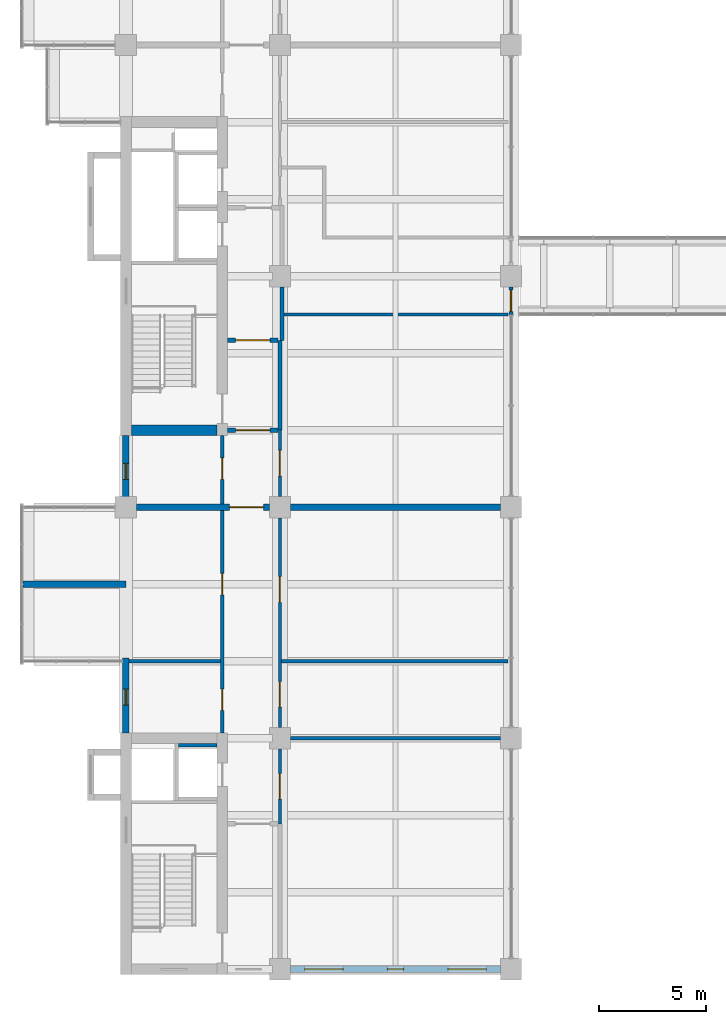
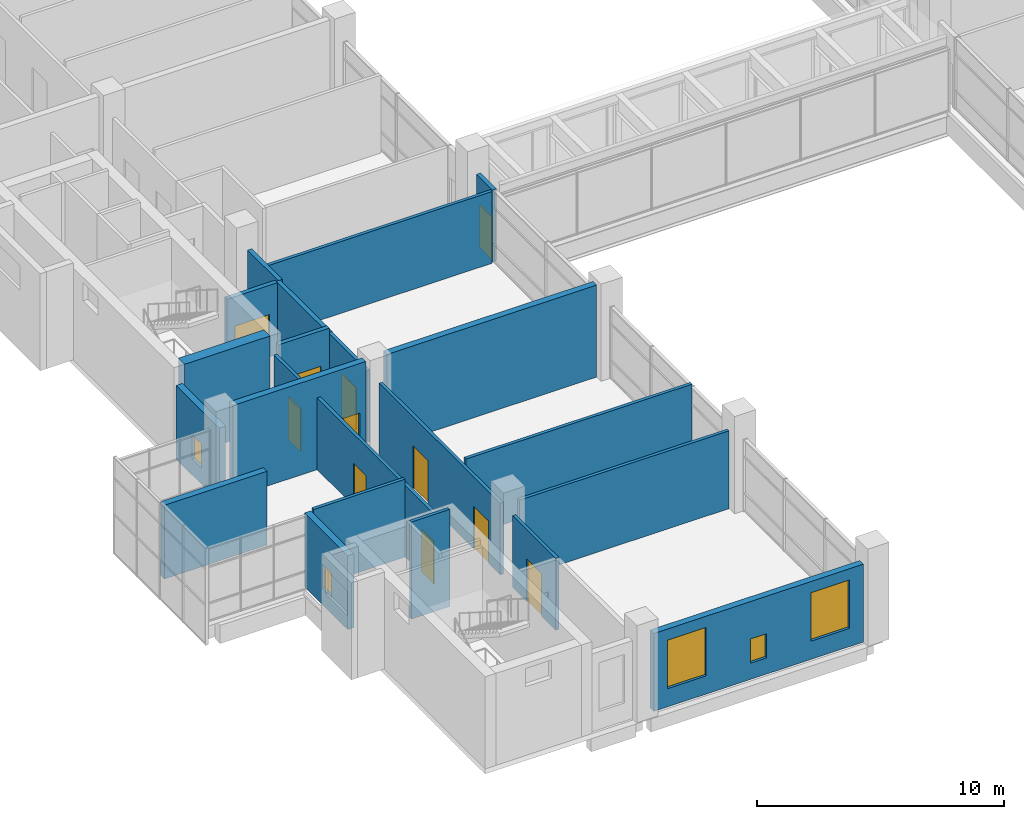
# One storey, part 26 of 35: 22 walls, 11 doors, 5 windows, 16 openings.
"""IFC4 building model written with IfcOpenShell, lengths in metres."""

from ifc_helpers import new_model, si_unit, direction, frame, frame_2d, origin, place, context, subcontext, project, spatial, rectangle, extrude, material, layer, layer_set, type_object, element, fill, save


model = new_model("IFC4")

# Units and contexts
model_context = context("Model", 3, precision=1e-05, world=origin(), true_north=direction((0.0, 1.0)))
body_context = subcontext(model_context, "Body", "Model", "MODEL_VIEW")
ifc_project = project(units=[si_unit("LENGTHUNIT", "METRE"), si_unit("AREAUNIT", "SQUARE_METRE"), si_unit("VOLUMEUNIT", "CUBIC_METRE"), si_unit("PLANEANGLEUNIT", "RADIAN"), si_unit("MASSUNIT", "GRAM", prefix="KILO")], contexts=[model_context])

# Site, building, storey
site_placement = place(None, origin())
site = spatial("IfcSite", under=ifc_project, at=site_placement, CompositionType="ELEMENT")
building_placement = place(site_placement, origin())
building = spatial("IfcBuilding", under=site, at=building_placement, Name="Basin Gate Institute", CompositionType="ELEMENT")
storey_placement = place(building_placement, frame((0.0, 0.0, 31.800048828125)))
storey = spatial("IfcBuildingStorey", under=building, at=storey_placement, Name="L06", CompositionType="ELEMENT", Elevation=31.800048828125)

# Wall, opening, door
ifc_material_1 = material(Name="Steel stud wall with gypsum board lining", Category="steel")
ifc_layer_1 = layer(ifc_material_1, 0.199951171875)
ifc_layer_set_1 = layer_set([ifc_layer_1], Name="Steel stud wall with gypsum board lining")
wall_type_1 = type_object("IfcWallType", Name="Bridge end wall W82 EI 60", PredefinedType="SOLIDWALL", material=ifc_layer_set_1)
wall_1_placement = place(storey_placement, frame((79.199951171875, 65.699951171875, 0.0), z_axis=(0.0, 0.0, 1.0), x_axis=(0.0, 1.0, 0.0)))
wall_1 = element("IfcWall", 1, at=wall_1_placement, inside=storey, type_object=wall_type_1, material=ifc_layer_set_1, Name="Bridge end wall R120 L06 W1", PredefinedType="SOLIDWALL", context=body_context, shape_type="SweptSolid", body=[
    extrude(rectangle(XDim=1.300048828125, YDim=0.199951171875, at=frame_2d((0.64990234375, 0.0))), origin(), (0.0, 0.0, 1.0), 3.550048828125),
])
opening_1_placement = place(wall_1_placement, frame((0.14990234375, 0.0, 0.0)))
opening_1 = element("IfcOpeningElement", 2, at=opening_1_placement, cuts=wall_1, Name="Opening D821", PredefinedType="OPENING", context=body_context, shape_type="SweptSolid", body=[
    extrude(rectangle(XDim=1.0, YDim=2.10009765625, at=frame_2d((0.5, 1.050048828125))), frame((0.0, 0.10986328125, 0.0), z_axis=(0.0, -1.0, 0.0), x_axis=(1.0, 0.0, 0.0)), (0.0, 0.0, 1.0), 0.219970703125),
])
ifc_material_2 = material(Name="Steel fire door leaf", Category="steel")
door_type_1 = type_object("IfcDoorType", Name="FD60 door 1000 bridge", OperationType="NOTDEFINED", PredefinedType="DOOR", material=ifc_material_2)
door_1_placement = place(opening_1_placement, origin())
door_1 = element("IfcDoor", 3, at=door_1_placement, inside=storey, type_object=door_type_1, material=ifc_material_2, Name="Bridge door L06 W1", OperationType="SINGLE_SWING_LEFT", OverallHeight=2.10009765625, OverallWidth=1.0, PredefinedType="DOOR", context=body_context, shape_type="SweptSolid", body=[
    extrude(rectangle(XDim=1.0, YDim=2.10009765625, at=frame_2d((0.5, 1.050048828125))), frame((0.0, 0.02490234375, 0.0), z_axis=(0.0, -1.0, 0.0), x_axis=(1.0, 0.0, 0.0)), (0.0, 0.0, 1.0), 0.050048828125),
])
fill(opening_1, door_1)

# Wall
ifc_material_3 = material(Name="Aluminium-faced insulated panel wall", Category="aluminium")
ifc_layer_2 = layer(ifc_material_3, 0.300048828125)
ifc_layer_set_2 = layer_set([ifc_layer_2], Name="Capsule side wall EW2 EI 120")
wall_type_2 = type_object("IfcWallType", Name="Capsule side wall EW2 EI 120", PredefinedType="STANDARD", material=ifc_layer_set_2)
wall_2_placement = place(storey_placement, frame((56.39990234375, 53.10009765625, 0.0), z_axis=(0.0, 0.0, 1.0), x_axis=(1.0, 0.0, 0.0)))
element("IfcWall", 4, at=wall_2_placement, inside=storey, type_object=wall_type_2, material=ifc_layer_set_2, Name="Capsule side wall W wing L06 line 6", PredefinedType="STANDARD", context=body_context, shape_type="SweptSolid", body=[
    extrude(rectangle(XDim=4.800048828125, YDim=0.300048828125, at=frame_2d((2.39990234375, 0.0))), origin(), (0.0, 0.0, 1.0), 3.64990234375),
])

# Wall, opening, door
ifc_material_4 = material(Name="Fire-rated masonry", Category="masonry")
ifc_layer_3 = layer(ifc_material_4, 0.199951171875)
ifc_layer_set_3 = layer_set([ifc_layer_3], Name="Enclosure wall PW2 200 EI 60")
wall_type_3 = type_object("IfcWallType", Name="Enclosure wall PW2 200 EI 60", PredefinedType="PARTITIONING", material=ifc_layer_set_3)
wall_3_placement = place(storey_placement, frame((65.949951171875, 60.300048828125, 0.0), z_axis=(0.0, 0.0, 1.0), x_axis=(1.0, 0.0, 0.0)))
wall_3 = element("IfcWall", 5, at=wall_3_placement, inside=storey, type_object=wall_type_3, material=ifc_layer_set_3, Name="Smoke lobby enclosure wall PW2 L06", PredefinedType="PARTITIONING", context=body_context, shape_type="SweptSolid", body=[
    extrude(rectangle(XDim=2.35009765625, YDim=0.199951171875, at=frame_2d((1.175048828125, 0.0))), origin(), (0.0, 0.0, 1.0), 3.849853515625),
])
opening_2_placement = place(wall_3_placement, frame((0.375, 0.0, 0.0)))
opening_2 = element("IfcOpeningElement", 6, at=opening_2_placement, cuts=wall_3, Name="Opening DR320", PredefinedType="OPENING", context=body_context, shape_type="SweptSolid", body=[
    extrude(rectangle(XDim=1.60009765625, YDim=2.10009765625, at=frame_2d((0.800048828125, 1.050048828125))), frame((0.0, 0.10986328125, 0.0), z_axis=(0.0, -1.0, 0.0), x_axis=(1.0, 0.0, 0.0)), (0.0, 0.0, 1.0), 0.219970703125),
])
ifc_material_5 = material(Name="Steel fire door", Category="steel")
door_type_2 = type_object("IfcDoorType", Name="FD60 Smoke lobby door pair D8", OperationType="DOUBLE_DOOR_SINGLE_SWING", PredefinedType="DOOR", material=ifc_material_5)
door_2_placement = place(opening_2_placement, origin())
door_2 = element("IfcDoor", 7, at=door_2_placement, inside=storey, type_object=door_type_2, material=ifc_material_5, Name="Smoke lobby door SS2 L06", OperationType="DOUBLE_DOOR_SINGLE_SWING", OverallHeight=2.10009765625, OverallWidth=1.60009765625, PredefinedType="DOOR", context=body_context, shape_type="SweptSolid", body=[
    extrude(rectangle(XDim=1.60009765625, YDim=2.10009765625, at=frame_2d((0.800048828125, 1.050048828125))), frame((0.0, 0.02490234375, 0.0), z_axis=(0.0, -1.0, 0.0), x_axis=(1.0, 0.0, 0.0)), (0.0, 0.0, 1.0), 0.050048828125),
])
fill(opening_2, door_2)

wall_4_placement = place(storey_placement, frame((65.949951171875, 64.5, 0.0), z_axis=(0.0, 0.0, 1.0), x_axis=(1.0, 0.0, 0.0)))
wall_4 = element("IfcWall", 8, at=wall_4_placement, inside=storey, type_object=wall_type_3, material=ifc_layer_set_3, Name="Smoke lobby enclosure wall PW2 L06", PredefinedType="PARTITIONING", context=body_context, shape_type="SweptSolid", body=[
    extrude(rectangle(XDim=2.35009765625, YDim=0.199951171875, at=frame_2d((1.175048828125, 0.0))), origin(), (0.0, 0.0, 1.0), 3.550048828125),
])
opening_3_placement = place(wall_4_placement, frame((0.375, 0.0, 0.0)))
opening_3 = element("IfcOpeningElement", 9, at=opening_3_placement, cuts=wall_4, Name="Opening DR321", PredefinedType="OPENING", context=body_context, shape_type="SweptSolid", body=[
    extrude(rectangle(XDim=1.60009765625, YDim=2.10009765625, at=frame_2d((0.800048828125, 1.050048828125))), frame((0.0, 0.10986328125, 0.0), z_axis=(0.0, -1.0, 0.0), x_axis=(1.0, 0.0, 0.0)), (0.0, 0.0, 1.0), 0.219970703125),
])
door_3_placement = place(opening_3_placement, frame((1.60009765625, 0.0, 0.0), z_axis=(0.0, 0.0, 1.0), x_axis=(-1.0, 0.0, 0.0)))
door_3 = element("IfcDoor", 10, at=door_3_placement, inside=storey, type_object=door_type_2, material=ifc_material_5, Name="Smoke lobby door SS2 L06", OperationType="DOUBLE_DOOR_SINGLE_SWING", OverallHeight=2.10009765625, OverallWidth=1.60009765625, PredefinedType="DOOR", context=body_context, shape_type="SweptSolid", body=[
    extrude(rectangle(XDim=1.60009765625, YDim=2.10009765625, at=frame_2d((0.800048828125, 1.050048828125))), frame((0.0, 0.02490234375, 0.0), z_axis=(0.0, -1.0, 0.0), x_axis=(1.0, 0.0, 0.0)), (0.0, 0.0, 1.0), 0.050048828125),
])
fill(opening_3, door_3)

# Walls
wall_5_placement = place(storey_placement, frame((68.39990234375, 60.300048828125, 0.0), z_axis=(0.0, 0.0, 1.0), x_axis=(0.0, 1.0, 0.0)))
element("IfcWall", 11, at=wall_5_placement, inside=storey, type_object=wall_type_3, material=ifc_layer_set_3, Name="Smoke lobby enclosure wall PW2 L06", PredefinedType="PARTITIONING", context=body_context, shape_type="SweptSolid", body=[
    extrude(rectangle(XDim=4.199951171875, YDim=0.199951171875, at=frame_2d((2.10009765625, 0.0))), origin(), (0.0, 0.0, 1.0), 3.550048828125),
])
wall_6_placement = place(storey_placement, frame((68.5, 64.5, 0.0), z_axis=(0.0, 0.0, 1.0), x_axis=(0.0, 1.0, 0.0)))
element("IfcWall", 12, at=wall_6_placement, inside=storey, type_object=wall_type_3, material=ifc_layer_set_3, Name="Emergency lift lobby wall PW2 L06", PredefinedType="PARTITIONING", context=body_context, shape_type="SweptSolid", body=[
    extrude(rectangle(XDim=2.5, YDim=0.199951171875, at=frame_2d((1.25, 0.0))), origin(), (0.0, 0.0, 1.0), 3.550048828125),
])

# Wall, opening, window
ifc_material_6 = material(Name="Aluminium-faced insulated panel wall", Category="aluminium")
ifc_layer_4 = layer(ifc_material_6, 0.300048828125)
ifc_layer_set_4 = layer_set([ifc_layer_4], Name="External wall EW1 EI 120")
wall_type_4 = type_object("IfcWallType", Name="External wall EW1 EI 120", PredefinedType="STANDARD", material=ifc_layer_set_4)
wall_7_placement = place(storey_placement, frame((61.199951171875, 46.14990234375, 0.0), z_axis=(0.0, 0.0, 1.0), x_axis=(0.0, 1.0, 0.0)))
wall_7 = element("IfcWall", 13, at=wall_7_placement, inside=storey, type_object=wall_type_4, material=ifc_layer_set_4, Name="External wall W facade L06 1", PredefinedType="STANDARD", context=body_context, shape_type="SweptSolid", body=[
    extrude(rectangle(XDim=3.5, YDim=0.300048828125, at=frame_2d((1.75, 0.0))), origin(), (0.0, 0.0, 1.0), 3.64990234375),
])
opening_4_placement = place(wall_7_placement, frame((1.300048828125, 0.0, 0.800048828125)))
opening_4 = element("IfcOpeningElement", 14, at=opening_4_placement, cuts=wall_7, Name="Opening WN3", PredefinedType="OPENING", context=body_context, shape_type="SweptSolid", body=[
    extrude(rectangle(XDim=0.75, YDim=1.199951171875, at=frame_2d((0.375, 0.60009765625))), frame((0.0, 0.16015625, 0.0), z_axis=(0.0, -1.0, 0.0), x_axis=(1.0, 0.0, 0.0)), (0.0, 0.0, 1.0), 0.320068359375),
])
ifc_material_7 = material(Name="Aluminium-framed double glazing", Category="aluminium")
window_type_1 = type_object("IfcWindowType", Name="Emergency entry panel WN3", PartitioningType="SINGLE_PANEL", PredefinedType="WINDOW", material=ifc_material_7)
window_1_placement = place(opening_4_placement, origin())
window_1 = element("IfcWindow", 15, at=window_1_placement, inside=storey, type_object=window_type_1, material=ifc_material_7, Name="Emergency entry panel W facade L06 bay 4", OverallHeight=1.199951171875, OverallWidth=0.75, PartitioningType="SINGLE_PANEL", PredefinedType="WINDOW", context=body_context, shape_type="SweptSolid", body=[
    extrude(rectangle(XDim=0.75, YDim=1.199951171875, at=frame_2d((0.375, 0.60009765625))), frame((0.0, 0.030029296875, 0.0), z_axis=(0.0, -1.0, 0.0), x_axis=(1.0, 0.0, 0.0)), (0.0, 0.0, 1.0), 0.06005859375),
])
fill(opening_4, window_1)

wall_8_placement = place(storey_placement, frame((61.199951171875, 56.550048828125, 0.0), z_axis=(0.0, 0.0, 1.0), x_axis=(0.0, 1.0, 0.0)))
wall_8 = element("IfcWall", 16, at=wall_8_placement, inside=storey, type_object=wall_type_4, material=ifc_layer_set_4, Name="External wall W facade L06 2", PredefinedType="STANDARD", context=body_context, shape_type="SweptSolid", body=[
    extrude(rectangle(XDim=3.5, YDim=0.300048828125, at=frame_2d((1.75, 0.0))), origin(), (0.0, 0.0, 1.0), 3.64990234375),
])
opening_5_placement = place(wall_8_placement, frame((1.449951171875, 0.0, 0.800048828125)))
opening_5 = element("IfcOpeningElement", 17, at=opening_5_placement, cuts=wall_8, Name="Opening WN3", PredefinedType="OPENING", context=body_context, shape_type="SweptSolid", body=[
    extrude(rectangle(XDim=0.75, YDim=1.199951171875, at=frame_2d((0.375, 0.60009765625))), frame((0.0, 0.16015625, 0.0), z_axis=(0.0, -1.0, 0.0), x_axis=(1.0, 0.0, 0.0)), (0.0, 0.0, 1.0), 0.320068359375),
])
window_2_placement = place(opening_5_placement, origin())
window_2 = element("IfcWindow", 18, at=window_2_placement, inside=storey, type_object=window_type_1, material=ifc_material_7, Name="Emergency entry panel W facade L06 bay 7", OverallHeight=1.199951171875, OverallWidth=0.75, PartitioningType="SINGLE_PANEL", PredefinedType="WINDOW", context=body_context, shape_type="SweptSolid", body=[
    extrude(rectangle(XDim=0.75, YDim=1.199951171875, at=frame_2d((0.375, 0.60009765625))), frame((0.0, 0.030029296875, 0.0), z_axis=(0.0, -1.0, 0.0), x_axis=(1.0, 0.0, 0.0)), (0.0, 0.0, 1.0), 0.06005859375),
])
fill(opening_5, window_2)

# Wall, openings, windows
wall_9_placement = place(storey_placement, frame((68.89990234375, 35.10009765625, 0.0), z_axis=(0.0, 0.0, 1.0), x_axis=(1.0, 0.0, 0.0)))
wall_9 = element("IfcWall", 19, at=wall_9_placement, inside=storey, type_object=wall_type_4, material=ifc_layer_set_4, Name="External end wall W wing south L06 2", PredefinedType="STANDARD", context=body_context, shape_type="SweptSolid", body=[
    extrude(rectangle(XDim=9.800048828125, YDim=0.300048828125, at=frame_2d((4.89990234375, 0.0))), origin(), (0.0, 0.0, 1.0), 3.849853515625),
])
opening_6_placement = place(wall_9_placement, frame((0.64990234375, 0.0, 0.89990234375)))
opening_6 = element("IfcOpeningElement", 20, at=opening_6_placement, cuts=wall_9, Name="Opening WN1", PredefinedType="OPENING", context=body_context, shape_type="SweptSolid", body=[
    extrude(rectangle(XDim=1.800048828125, YDim=2.39990234375, at=frame_2d((0.89990234375, 1.199951171875))), frame((0.0, 0.16015625, 0.0), z_axis=(0.0, -1.0, 0.0), x_axis=(1.0, 0.0, 0.0)), (0.0, 0.0, 1.0), 0.320068359375),
])
opening_7_placement = place(wall_9_placement, frame((4.52490234375, 0.0, 0.800048828125)))
opening_7 = element("IfcOpeningElement", 21, at=opening_7_placement, cuts=wall_9, Name="Opening WN3", PredefinedType="OPENING", context=body_context, shape_type="SweptSolid", body=[
    extrude(rectangle(XDim=0.75, YDim=1.199951171875, at=frame_2d((0.375, 0.60009765625))), frame((0.0, 0.16015625, 0.0), z_axis=(0.0, -1.0, 0.0), x_axis=(1.0, 0.0, 0.0)), (0.0, 0.0, 1.0), 0.320068359375),
])
opening_8_placement = place(wall_9_placement, frame((7.35009765625, 0.0, 0.89990234375)))
opening_8 = element("IfcOpeningElement", 22, at=opening_8_placement, cuts=wall_9, Name="Opening WN1", PredefinedType="OPENING", context=body_context, shape_type="SweptSolid", body=[
    extrude(rectangle(XDim=1.800048828125, YDim=2.39990234375, at=frame_2d((0.89990234375, 1.199951171875))), frame((0.0, 0.16015625, 0.0), z_axis=(0.0, -1.0, 0.0), x_axis=(1.0, 0.0, 0.0)), (0.0, 0.0, 1.0), 0.320068359375),
])
window_3_placement = place(opening_7_placement, origin())
window_3 = element("IfcWindow", 23, at=window_3_placement, inside=storey, type_object=window_type_1, material=ifc_material_7, Name="Emergency entry panel W wing end S L06 bay 2", OverallHeight=1.199951171875, OverallWidth=0.75, PartitioningType="SINGLE_PANEL", PredefinedType="WINDOW", context=body_context, shape_type="SweptSolid", body=[
    extrude(rectangle(XDim=0.75, YDim=1.199951171875, at=frame_2d((0.375, 0.60009765625))), frame((0.0, 0.030029296875, 0.0), z_axis=(0.0, -1.0, 0.0), x_axis=(1.0, 0.0, 0.0)), (0.0, 0.0, 1.0), 0.06005859375),
])
fill(opening_7, window_3)
ifc_material_8 = material(Name="Aluminium-framed double glazing", Category="aluminium")
window_type_2 = type_object("IfcWindowType", Name="Facade window WN1", PartitioningType="SINGLE_PANEL", PredefinedType="WINDOW", material=ifc_material_8)
window_4_placement = place(opening_6_placement, origin())
window_4 = element("IfcWindow", 24, at=window_4_placement, inside=storey, type_object=window_type_2, material=ifc_material_8, Name="Facade window W wing end S L06 bay 1", OverallHeight=2.39990234375, OverallWidth=1.800048828125, PartitioningType="SINGLE_PANEL", PredefinedType="WINDOW", context=body_context, shape_type="SweptSolid", body=[
    extrude(rectangle(XDim=1.800048828125, YDim=2.39990234375, at=frame_2d((0.89990234375, 1.199951171875))), frame((0.0, 0.030029296875, 0.0), z_axis=(0.0, -1.0, 0.0), x_axis=(1.0, 0.0, 0.0)), (0.0, 0.0, 1.0), 0.06005859375),
])
fill(opening_6, window_4)
window_5_placement = place(opening_8_placement, origin())
window_5 = element("IfcWindow", 25, at=window_5_placement, inside=storey, type_object=window_type_2, material=ifc_material_8, Name="Facade window W wing end S L06 bay 3", OverallHeight=2.39990234375, OverallWidth=1.800048828125, PartitioningType="SINGLE_PANEL", PredefinedType="WINDOW", context=body_context, shape_type="SweptSolid", body=[
    extrude(rectangle(XDim=1.800048828125, YDim=2.39990234375, at=frame_2d((0.89990234375, 1.199951171875))), frame((0.0, 0.030029296875, 0.0), z_axis=(0.0, -1.0, 0.0), x_axis=(1.0, 0.0, 0.0)), (0.0, 0.0, 1.0), 0.06005859375),
])
fill(opening_8, window_5)

# Wall, openings, doors
ifc_material_9 = material(Name="Gypsum board on steel stud", Category="steel")
ifc_layer_5 = layer(ifc_material_9, 0.14990234375)
ifc_layer_set_5 = layer_set([ifc_layer_5], Name="Gypsum board on steel stud")
wall_type_5 = type_object("IfcWallType", Name="Partition PW1 150 EI 60", PredefinedType="PARTITIONING", material=ifc_layer_set_5)
wall_10_placement = place(storey_placement, frame((65.699951171875, 46.14990234375, 0.0), z_axis=(0.0, 0.0, 1.0), x_axis=(0.0, 1.0, 0.0)))
wall_10 = element("IfcWall", 26, at=wall_10_placement, inside=storey, type_object=wall_type_5, material=ifc_layer_set_5, Name="Corridor wall PW1 L06", PredefinedType="PARTITIONING", context=body_context, shape_type="SweptSolid", body=[
    extrude(rectangle(XDim=10.400146484375, YDim=0.14990234375, at=frame_2d((5.2001953125, 0.0))), origin(), (0.0, 0.0, 1.0), 3.550048828125),
])
opening_9_placement = place(wall_10_placement, frame((1.050048828125, 0.0, 0.0)))
opening_9 = element("IfcOpeningElement", 27, at=opening_9_placement, cuts=wall_10, Name="Opening DR307", PredefinedType="OPENING", context=body_context, shape_type="SweptSolid", body=[
    extrude(rectangle(XDim=1.0, YDim=2.10009765625, at=frame_2d((0.5, 1.050048828125))), frame((0.0, 0.0849609375, 0.0), z_axis=(0.0, -1.0, 0.0), x_axis=(1.0, 0.0, 0.0)), (0.0, 0.0, 1.0), 0.169921875),
])
opening_10_placement = place(wall_10_placement, frame((6.449951171875, 0.0, 0.0)))
opening_10 = element("IfcOpeningElement", 28, at=opening_10_placement, cuts=wall_10, Name="Opening DR309", PredefinedType="OPENING", context=body_context, shape_type="SweptSolid", body=[
    extrude(rectangle(XDim=1.0, YDim=2.10009765625, at=frame_2d((0.5, 1.050048828125))), frame((0.0, 0.0849609375, 0.0), z_axis=(0.0, -1.0, 0.0), x_axis=(1.0, 0.0, 0.0)), (0.0, 0.0, 1.0), 0.169921875),
])
ifc_material_10 = material(Name="Timber fire door", Category="wood")
door_type_3 = type_object("IfcDoorType", Name="FD30 Office door D1", OperationType="NOTDEFINED", PredefinedType="DOOR", material=ifc_material_10)
door_4_placement = place(opening_10_placement, origin())
door_4 = element("IfcDoor", 29, at=door_4_placement, inside=storey, type_object=door_type_3, material=ifc_material_10, Name="Door to Seminar Room 0602 L06", OperationType="SINGLE_SWING_RIGHT", OverallHeight=2.10009765625, OverallWidth=1.0, PredefinedType="DOOR", context=body_context, shape_type="SweptSolid", body=[
    extrude(rectangle(XDim=1.0, YDim=2.10009765625, at=frame_2d((0.5, 1.050048828125))), frame((0.0, 0.02490234375, 0.0), z_axis=(0.0, -1.0, 0.0), x_axis=(1.0, 0.0, 0.0)), (0.0, 0.0, 1.0), 0.050048828125),
])
fill(opening_10, door_4)
ifc_material_11 = material(Name="Timber fire door", Category="wood")
door_type_4 = type_object("IfcDoorType", Name="FD30 Toilet door D3", OperationType="NOTDEFINED", PredefinedType="DOOR", material=ifc_material_11)
door_5_placement = place(opening_9_placement, origin())
door_5 = element("IfcDoor", 30, at=door_5_placement, inside=storey, type_object=door_type_4, material=ifc_material_11, Name="Door to Female WC L06", OperationType="SINGLE_SWING_LEFT", OverallHeight=2.10009765625, OverallWidth=1.0, PredefinedType="DOOR", context=body_context, shape_type="SweptSolid", body=[
    extrude(rectangle(XDim=1.0, YDim=2.10009765625, at=frame_2d((0.5, 1.050048828125))), frame((0.0, 0.02490234375, 0.0), z_axis=(0.0, -1.0, 0.0), x_axis=(1.0, 0.0, 0.0)), (0.0, 0.0, 1.0), 0.050048828125),
])
fill(opening_9, door_5)

# Wall, opening, door
wall_11_placement = place(storey_placement, frame((65.699951171875, 56.85009765625, 0.0), z_axis=(0.0, 0.0, 1.0), x_axis=(0.0, 1.0, 0.0)))
wall_11 = element("IfcWall", 31, at=wall_11_placement, inside=storey, type_object=wall_type_5, material=ifc_layer_set_5, Name="Corridor wall PW1 L06", PredefinedType="PARTITIONING", context=body_context, shape_type="SweptSolid", body=[
    extrude(rectangle(XDim=3.199951171875, YDim=0.14990234375, at=frame_2d((1.60009765625, 0.0))), origin(), (0.0, 0.0, 1.0), 3.550048828125),
])
opening_11_placement = place(wall_11_placement, frame((1.14990234375, 0.0, 0.0)))
opening_11 = element("IfcOpeningElement", 32, at=opening_11_placement, cuts=wall_11, Name="Opening DR302", PredefinedType="OPENING", context=body_context, shape_type="SweptSolid", body=[
    extrude(rectangle(XDim=1.0, YDim=2.10009765625, at=frame_2d((0.5, 1.050048828125))), frame((0.0, 0.0849609375, 0.0), z_axis=(0.0, -1.0, 0.0), x_axis=(1.0, 0.0, 0.0)), (0.0, 0.0, 1.0), 0.169921875),
])
door_6_placement = place(opening_11_placement, origin())
door_6 = element("IfcDoor", 33, at=door_6_placement, inside=storey, type_object=door_type_4, material=ifc_material_11, Name="Door to Accessible WC L06", OperationType="SINGLE_SWING_RIGHT", OverallHeight=2.10009765625, OverallWidth=1.0, PredefinedType="DOOR", context=body_context, shape_type="SweptSolid", body=[
    extrude(rectangle(XDim=1.0, YDim=2.10009765625, at=frame_2d((0.5, 1.050048828125))), frame((0.0, 0.02490234375, 0.0), z_axis=(0.0, -1.0, 0.0), x_axis=(1.0, 0.0, 0.0)), (0.0, 0.0, 1.0), 0.050048828125),
])
fill(opening_11, door_6)

wall_12_placement = place(storey_placement, frame((68.39990234375, 41.89990234375, 0.0), z_axis=(0.0, 0.0, 1.0), x_axis=(0.0, 1.0, 0.0)))
wall_12 = element("IfcWall", 34, at=wall_12_placement, inside=storey, type_object=wall_type_5, material=ifc_layer_set_5, Name="Laboratory corridor wall PW1 L06", PredefinedType="PARTITIONING", context=body_context, shape_type="SweptSolid", body=[
    extrude(rectangle(XDim=3.5, YDim=0.14990234375, at=frame_2d((1.75, 0.0))), origin(), (0.0, 0.0, 1.0), 3.550048828125),
])
opening_12_placement = place(wall_12_placement, frame((1.14990234375, 0.0, 0.0)))
opening_12 = element("IfcOpeningElement", 35, at=opening_12_placement, cuts=wall_12, Name="Opening DR311", PredefinedType="OPENING", context=body_context, shape_type="SweptSolid", body=[
    extrude(rectangle(XDim=1.199951171875, YDim=2.10009765625, at=frame_2d((0.60009765625, 1.050048828125))), frame((0.0, 0.0849609375, 0.0), z_axis=(0.0, -1.0, 0.0), x_axis=(1.0, 0.0, 0.0)), (0.0, 0.0, 1.0), 0.169921875),
])
ifc_material_12 = material(Name="Timber fire door", Category="wood")
door_type_5 = type_object("IfcDoorType", Name="FD30 Laboratory door D2", OperationType="DOUBLE_DOOR_SINGLE_SWING", PredefinedType="DOOR", material=ifc_material_12)
door_7_placement = place(opening_12_placement, frame((1.199951171875, 0.0, 0.0), z_axis=(0.0, 0.0, 1.0), x_axis=(-1.0, 0.0, 0.0)))
door_7 = element("IfcDoor", 36, at=door_7_placement, inside=storey, type_object=door_type_5, material=ifc_material_12, Name="Door to Shared Instrument Suite 0614 L06", OperationType="DOUBLE_DOOR_SINGLE_SWING", OverallHeight=2.10009765625, OverallWidth=1.199951171875, PredefinedType="DOOR", context=body_context, shape_type="SweptSolid", body=[
    extrude(rectangle(XDim=1.199951171875, YDim=2.10009765625, at=frame_2d((0.60009765625, 1.050048828125))), frame((0.0, 0.02490234375, 0.0), z_axis=(0.0, -1.0, 0.0), x_axis=(1.0, 0.0, 0.0)), (0.0, 0.0, 1.0), 0.050048828125),
])
fill(opening_12, door_7)

# Wall, openings, doors
wall_13_placement = place(storey_placement, frame((68.39990234375, 46.39990234375, 0.0), z_axis=(0.0, 0.0, 1.0), x_axis=(0.0, 1.0, 0.0)))
wall_13 = element("IfcWall", 37, at=wall_13_placement, inside=storey, type_object=wall_type_5, material=ifc_layer_set_5, Name="Laboratory corridor wall PW1 L06", PredefinedType="PARTITIONING", context=body_context, shape_type="SweptSolid", body=[
    extrude(rectangle(XDim=9.800048828125, YDim=0.14990234375, at=frame_2d((4.89990234375, 0.0))), origin(), (0.0, 0.0, 1.0), 3.550048828125),
])
opening_13_placement = place(wall_13_placement, frame((0.949951171875, 0.0, 0.0)))
opening_13 = element("IfcOpeningElement", 38, at=opening_13_placement, cuts=wall_13, Name="Opening DR303", PredefinedType="OPENING", context=body_context, shape_type="SweptSolid", body=[
    extrude(rectangle(XDim=1.199951171875, YDim=2.10009765625, at=frame_2d((0.60009765625, 1.050048828125))), frame((0.0, 0.0849609375, 0.0), z_axis=(0.0, -1.0, 0.0), x_axis=(1.0, 0.0, 0.0)), (0.0, 0.0, 1.0), 0.169921875),
])
opening_14_placement = place(wall_13_placement, frame((5.85009765625, 0.0, 0.0)))
opening_14 = element("IfcOpeningElement", 39, at=opening_14_placement, cuts=wall_13, Name="Opening DR312", PredefinedType="OPENING", context=body_context, shape_type="SweptSolid", body=[
    extrude(rectangle(XDim=1.199951171875, YDim=2.10009765625, at=frame_2d((0.60009765625, 1.050048828125))), frame((0.0, 0.0849609375, 0.0), z_axis=(0.0, -1.0, 0.0), x_axis=(1.0, 0.0, 0.0)), (0.0, 0.0, 1.0), 0.169921875),
])
door_8_placement = place(opening_13_placement, frame((1.199951171875, 0.0, 0.0), z_axis=(0.0, 0.0, 1.0), x_axis=(-1.0, 0.0, 0.0)))
door_8 = element("IfcDoor", 40, at=door_8_placement, inside=storey, type_object=door_type_5, material=ifc_material_12, Name="Door to Breakout Meeting Room 0615 L06", OperationType="DOUBLE_DOOR_SINGLE_SWING", OverallHeight=2.10009765625, OverallWidth=1.199951171875, PredefinedType="DOOR", context=body_context, shape_type="SweptSolid", body=[
    extrude(rectangle(XDim=1.199951171875, YDim=2.10009765625, at=frame_2d((0.60009765625, 1.050048828125))), frame((0.0, 0.02490234375, 0.0), z_axis=(0.0, -1.0, 0.0), x_axis=(1.0, 0.0, 0.0)), (0.0, 0.0, 1.0), 0.050048828125),
])
fill(opening_13, door_8)
door_9_placement = place(opening_14_placement, frame((1.199951171875, 0.0, 0.0), z_axis=(0.0, 0.0, 1.0), x_axis=(-1.0, 0.0, 0.0)))
door_9 = element("IfcDoor", 41, at=door_9_placement, inside=storey, type_object=door_type_5, material=ifc_material_12, Name="Door to Shared Instrument Suite 0616 L06", OperationType="DOUBLE_DOOR_SINGLE_SWING", OverallHeight=2.10009765625, OverallWidth=1.199951171875, PredefinedType="DOOR", context=body_context, shape_type="SweptSolid", body=[
    extrude(rectangle(XDim=1.199951171875, YDim=2.10009765625, at=frame_2d((0.60009765625, 1.050048828125))), frame((0.0, 0.02490234375, 0.0), z_axis=(0.0, -1.0, 0.0), x_axis=(1.0, 0.0, 0.0)), (0.0, 0.0, 1.0), 0.050048828125),
])
fill(opening_14, door_9)

# Wall, opening, door
wall_14_placement = place(storey_placement, frame((68.39990234375, 57.199951171875, 0.0), z_axis=(0.0, 0.0, 1.0), x_axis=(0.0, 1.0, 0.0)))
wall_14 = element("IfcWall", 42, at=wall_14_placement, inside=storey, type_object=wall_type_5, material=ifc_layer_set_5, Name="Laboratory corridor wall PW1 L06", PredefinedType="PARTITIONING", context=body_context, shape_type="SweptSolid", body=[
    extrude(rectangle(XDim=3.10009765625, YDim=0.14990234375, at=frame_2d((1.550048828125, 0.0))), origin(), (0.0, 0.0, 1.0), 3.550048828125),
])
opening_15_placement = place(wall_14_placement, frame((0.949951171875, 0.0, 0.0)))
opening_15 = element("IfcOpeningElement", 43, at=opening_15_placement, cuts=wall_14, Name="Opening DR313", PredefinedType="OPENING", context=body_context, shape_type="SweptSolid", body=[
    extrude(rectangle(XDim=1.199951171875, YDim=2.10009765625, at=frame_2d((0.60009765625, 1.050048828125))), frame((0.0, 0.0849609375, 0.0), z_axis=(0.0, -1.0, 0.0), x_axis=(1.0, 0.0, 0.0)), (0.0, 0.0, 1.0), 0.169921875),
])
door_10_placement = place(opening_15_placement, frame((1.199951171875, 0.0, 0.0), z_axis=(0.0, 0.0, 1.0), x_axis=(-1.0, 0.0, 0.0)))
door_10 = element("IfcDoor", 44, at=door_10_placement, inside=storey, type_object=door_type_5, material=ifc_material_12, Name="Door to Shared Instrument Suite 0617 L06", OperationType="DOUBLE_DOOR_SINGLE_SWING", OverallHeight=2.10009765625, OverallWidth=1.199951171875, PredefinedType="DOOR", context=body_context, shape_type="SweptSolid", body=[
    extrude(rectangle(XDim=1.199951171875, YDim=2.10009765625, at=frame_2d((0.60009765625, 1.050048828125))), frame((0.0, 0.02490234375, 0.0), z_axis=(0.0, -1.0, 0.0), x_axis=(1.0, 0.0, 0.0)), (0.0, 0.0, 1.0), 0.050048828125),
])
fill(opening_15, door_10)

# Walls
wall_15_placement = place(storey_placement, frame((68.89990234375, 45.89990234375, 0.0), z_axis=(0.0, 0.0, 1.0), x_axis=(1.0, 0.0, 0.0)))
element("IfcWall", 45, at=wall_15_placement, inside=storey, type_object=wall_type_5, material=ifc_layer_set_5, Name="Laboratory partition PW1 L06", PredefinedType="PARTITIONING", context=body_context, shape_type="SweptSolid", body=[
    extrude(rectangle(XDim=9.800048828125, YDim=0.14990234375, at=frame_2d((4.89990234375, 0.0))), origin(), (0.0, 0.0, 1.0), 3.849853515625),
])
wall_16_placement = place(storey_placement, frame((68.47509765625, 49.5, 0.0), z_axis=(0.0, 0.0, 1.0), x_axis=(1.0, 0.0, 0.0)))
element("IfcWall", 46, at=wall_16_placement, inside=storey, type_object=wall_type_5, material=ifc_layer_set_5, Name="Laboratory partition PW1 L06", PredefinedType="PARTITIONING", context=body_context, shape_type="SweptSolid", body=[
    extrude(rectangle(XDim=10.574951171875, YDim=0.14990234375, at=frame_2d((5.28759765625, 0.0))), origin(), (0.0, 0.0, 1.0), 3.849853515625),
])
wall_17_placement = place(storey_placement, frame((68.60009765625, 65.699951171875, 0.0), z_axis=(0.0, 0.0, 1.0), x_axis=(1.0, 0.0, 0.0)))
element("IfcWall", 47, at=wall_17_placement, inside=storey, type_object=wall_type_5, material=ifc_layer_set_5, Name="Cross corridor wall PW1 L06", PredefinedType="PARTITIONING", context=body_context, shape_type="SweptSolid", body=[
    extrude(rectangle(XDim=10.449951171875, YDim=0.14990234375, at=frame_2d((5.22509765625, 0.0))), origin(), (0.0, 0.0, 1.0), 3.550048828125),
])
ifc_material_13 = material(Name="Gypsum board on steel stud", Category="steel")
ifc_layer_6 = layer(ifc_material_13, 0.14990234375)
ifc_layer_set_6 = layer_set([ifc_layer_6], Name="Gypsum board on steel stud")
wall_type_6 = type_object("IfcWallType", Name="Partition PW4 150", PredefinedType="PARTITIONING", material=ifc_layer_set_6)
wall_18_placement = place(storey_placement, frame((61.35009765625, 49.5, 0.0), z_axis=(0.0, 0.0, 1.0), x_axis=(1.0, 0.0, 0.0)))
element("IfcWall", 48, at=wall_18_placement, inside=storey, type_object=wall_type_6, material=ifc_layer_set_6, Name="Toilet partition PW4 L06", PredefinedType="PARTITIONING", context=body_context, shape_type="SweptSolid", body=[
    extrude(rectangle(XDim=4.27490234375, YDim=0.14990234375, at=frame_2d((2.137451171875, 0.0))), origin(), (0.0, 0.0, 1.0), 3.849853515625),
])
ifc_material_14 = material(Name="Concrete 40 MPa", Category="concrete")
ifc_layer_7 = layer(ifc_material_14, 0.14990234375)
ifc_layer_set_7 = layer_set([ifc_layer_7], Name="Concrete 40 MPa")
wall_type_7 = type_object("IfcWallType", Name="Wall LS1 lift shaft enclosure R120", PredefinedType="SOLIDWALL", material=ifc_layer_set_7)
wall_19_placement = place(storey_placement, frame((63.64990234375, 45.574951171875, 0.0), z_axis=(0.0, 0.0, 1.0), x_axis=(1.0, 0.0, 0.0)))
element("IfcWall", 49, at=wall_19_placement, inside=storey, type_object=wall_type_7, material=ifc_layer_set_7, Name="Lift shaft enclosure LP1 L06 RH", PredefinedType="SOLIDWALL", context=body_context, shape_type="SweptSolid", body=[
    extrude(rectangle(XDim=1.800048828125, YDim=0.14990234375, at=frame_2d((0.89990234375, 0.0))), origin(), (0.0, 0.0, 1.0), 4.800048828125),
])
ifc_material_15 = material(Name="Concrete 60 MPa", Category="concrete")
ifc_layer_8 = layer(ifc_material_15, 0.5)
ifc_layer_set_8 = layer_set([ifc_layer_8], Name="Concrete 60 MPa")
wall_type_8 = type_object("IfcWallType", Name="Wall SW1 R120", PredefinedType="SHEAR", material=ifc_layer_set_8)
wall_20_placement = place(storey_placement, frame((61.449951171875, 60.300048828125, 0.0), z_axis=(0.0, 0.0, 1.0), x_axis=(1.0, 0.0, 0.0)))
element("IfcWall", 50, at=wall_20_placement, inside=storey, type_object=wall_type_8, material=ifc_layer_set_8, Name="WALL/L06/WM/S", PredefinedType="SHEAR", context=body_context, shape_type="SweptSolid", body=[
    extrude(rectangle(XDim=4.0, YDim=0.5, at=frame_2d((2.0, 0.0))), origin(), (0.0, 0.0, 1.0), 4.550048828125),
])

# Wall, opening, door
ifc_material_16 = material(Name="Concrete 50 MPa", Category="concrete")
ifc_layer_9 = layer(ifc_material_16, 0.300048828125)
ifc_layer_set_9 = layer_set([ifc_layer_9], Name="Concrete 50 MPa")
wall_type_9 = type_object("IfcWallType", Name="Wall XW1 R120", PredefinedType="SHEAR", material=ifc_layer_set_9)
wall_21_placement = place(storey_placement, frame((61.699951171875, 56.699951171875, 0.0), z_axis=(0.0, 0.0, 1.0), x_axis=(1.0, 0.0, 0.0)))
wall_21 = element("IfcWall", 51, at=wall_21_placement, inside=storey, type_object=wall_type_9, material=ifc_layer_set_9, Name="WALL/L06/WXC/1", PredefinedType="SHEAR", context=body_context, shape_type="SweptSolid", body=[
    extrude(rectangle(XDim=6.199951171875, YDim=0.300048828125, at=frame_2d((3.10009765625, 0.0))), origin(), (0.0, 0.0, 1.0), 4.550048828125),
])
opening_16_placement = place(wall_21_placement, frame((4.33740234375, 0.0, 0.0)))
opening_16 = element("IfcOpeningElement", 52, at=opening_16_placement, cuts=wall_21, Name="Opening DR323", PredefinedType="OPENING", context=body_context, shape_type="SweptSolid", body=[
    extrude(rectangle(XDim=1.60009765625, YDim=2.10009765625, at=frame_2d((0.800048828125, 1.050048828125))), frame((0.0, 0.16015625, 0.0), z_axis=(0.0, -1.0, 0.0), x_axis=(1.0, 0.0, 0.0)), (0.0, 0.0, 1.0), 0.320068359375),
])
ifc_material_17 = material(Name="Steel fire door", Category="steel")
door_type_6 = type_object("IfcDoorType", Name="FD60 Compartment door pair D7", OperationType="DOUBLE_DOOR_SINGLE_SWING", PredefinedType="DOOR", material=ifc_material_17)
door_11_placement = place(opening_16_placement, origin())
door_11 = element("IfcDoor", 53, at=door_11_placement, inside=storey, type_object=door_type_6, material=ifc_material_17, Name="Compartment door pair L06 W1 L06", OperationType="DOUBLE_DOOR_SINGLE_SWING", OverallHeight=2.10009765625, OverallWidth=1.60009765625, PredefinedType="DOOR", context=body_context, shape_type="SweptSolid", body=[
    extrude(rectangle(XDim=1.60009765625, YDim=2.10009765625, at=frame_2d((0.800048828125, 1.050048828125))), frame((0.0, 0.02490234375, 0.0), z_axis=(0.0, -1.0, 0.0), x_axis=(1.0, 0.0, 0.0)), (0.0, 0.0, 1.0), 0.050048828125),
])
fill(opening_16, door_11)

# Wall
wall_22_placement = place(storey_placement, frame((68.89990234375, 56.699951171875, 0.0), z_axis=(0.0, 0.0, 1.0), x_axis=(1.0, 0.0, 0.0)))
element("IfcWall", 54, at=wall_22_placement, inside=storey, type_object=wall_type_9, material=ifc_layer_set_9, Name="WALL/L06/WXC/2", PredefinedType="SHEAR", context=body_context, shape_type="SweptSolid", body=[
    extrude(rectangle(XDim=9.800048828125, YDim=0.300048828125, at=frame_2d((4.89990234375, 0.0))), origin(), (0.0, 0.0, 1.0), 4.550048828125),
])

save(model, "model.ifc")
